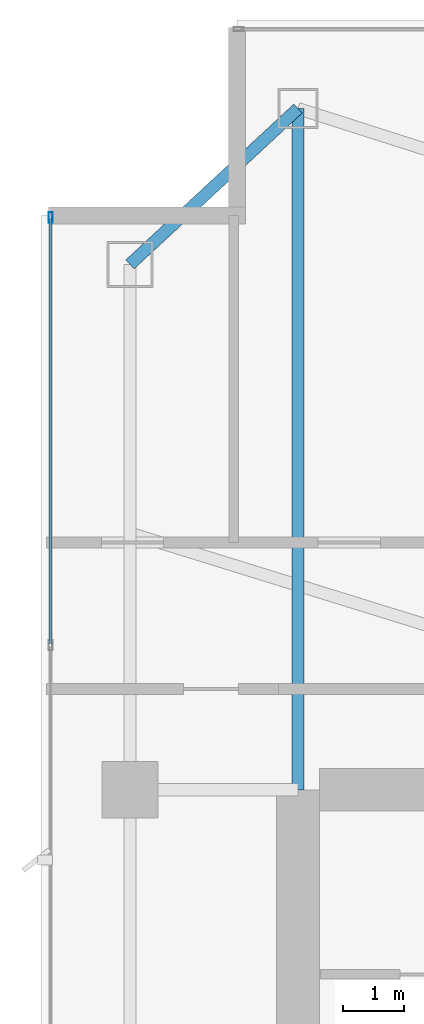
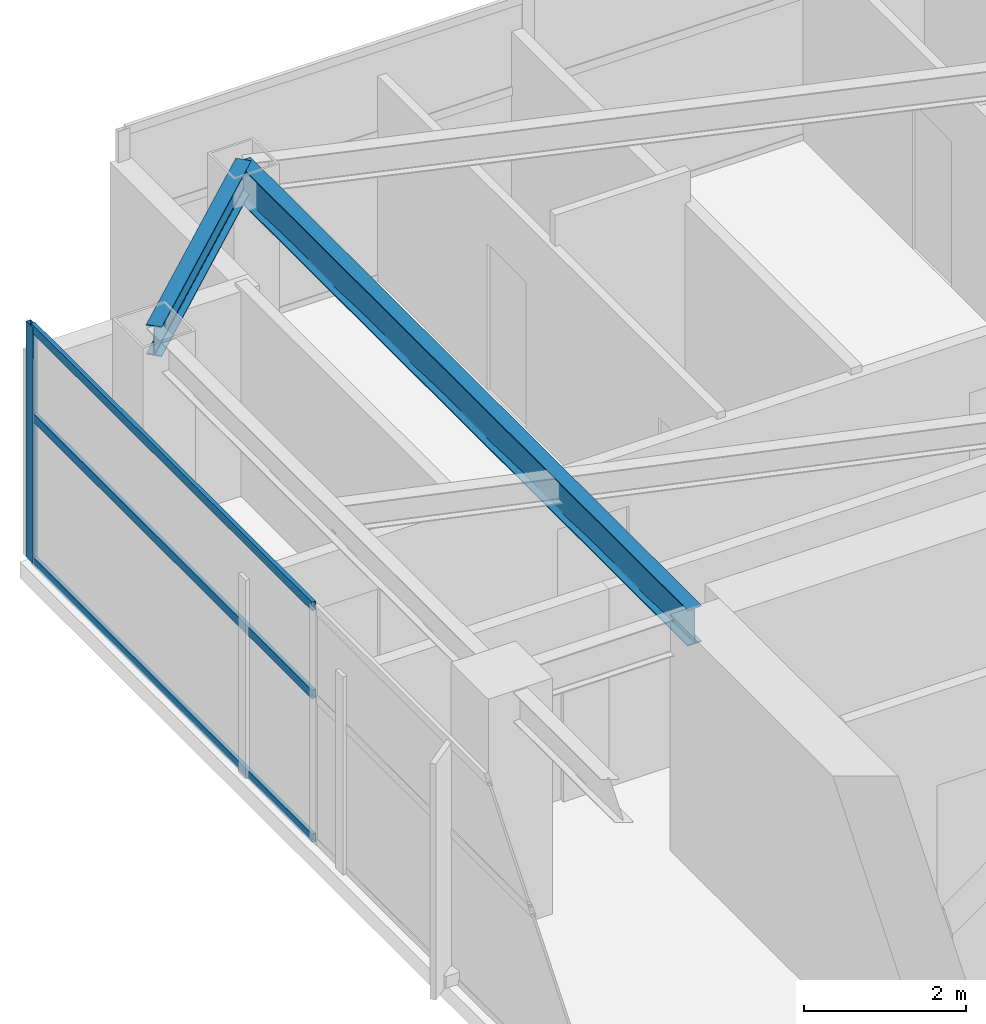
# One storey, part 17 of 29: 4 members, 2 beams, 1 element without a shape of its own.
"""IFC4 building model written with IfcOpenShell, lengths in metres."""

from ifc_helpers import new_model, si_unit, direction, frame, origin, origin_2d, place, context, subcontext, project, spatial, hollow_rectangle, i_section, extrude, material, layer, layer_set, material_profile, profile_set, type_object, element, aggregate, save


model = new_model("IFC4")

# Units and contexts
model_context = context("Model", 3, precision=1e-05, world=origin(), true_north=direction((0.0, 1.0)))
body_context = subcontext(model_context, "Body", "Model", "MODEL_VIEW")
ifc_project = project(units=[si_unit("LENGTHUNIT", "METRE"), si_unit("AREAUNIT", "SQUARE_METRE"), si_unit("VOLUMEUNIT", "CUBIC_METRE"), si_unit("PLANEANGLEUNIT", "RADIAN"), si_unit("MASSUNIT", "GRAM", prefix="KILO")], contexts=[model_context])

# Site, building, storey
site_placement = place(None, origin())
site = spatial("IfcSite", under=ifc_project, at=site_placement, CompositionType="ELEMENT")
building_placement = place(site_placement, origin())
building = spatial("IfcBuilding", under=site, at=building_placement, Name="Calvorn Quay Hotel", CompositionType="ELEMENT")
storey_placement = place(building_placement, frame((0.0, 0.0, 251.39990234375)))
storey = spatial("IfcBuildingStorey", under=building, at=storey_placement, Name="L62", CompositionType="ELEMENT", Elevation=251.39990234375)

# Beams
ifc_material_1 = material(Name="Steel Q355B", Category="steel")
ifc_material_profile_1 = material_profile(ifc_material_1, i_section(OverallWidth=0.199951171875, OverallDepth=0.550048828125, WebThickness=0.010009765625, FlangeThickness=0.01611328125, FilletRadius=0.01806640625, at=origin_2d()), Name="HN550x200x10x16")
ifc_profile_set_1 = profile_set([ifc_material_profile_1], Name="Steel Q355B")
beam_type_1 = type_object("IfcBeamType", Name="BM-GIRD-UPP", PredefinedType="BEAM", material=ifc_profile_set_1)
beam_1_placement = place(storey_placement, frame((4.199951171875, 49.550048828125, 3.26513671875), z_axis=(0.0, -1.0, 0.0), x_axis=(1.0, 0.0, 0.0)))
element("IfcBeam", 1, at=beam_1_placement, inside=storey, type_object=beam_type_1, Name="Beam BG-L62-W5", PredefinedType="BEAM", context=body_context, shape_type="SweptSolid", body=[
    extrude(i_section(OverallWidth=0.199951171875, OverallDepth=0.550048828125, WebThickness=0.010009765625, FlangeThickness=0.01611328125, FilletRadius=0.01806640625, at=origin_2d()), origin(), (0.0, 0.0, 1.0), 11.150146484375),
])
ifc_material_2 = material(Name="Steel Q355B", Category="steel")
ifc_material_profile_2 = material_profile(ifc_material_2, i_section(OverallWidth=0.199951171875, OverallDepth=0.449951171875, WebThickness=0.009033203125, FlangeThickness=0.013916015625, FilletRadius=0.01611328125, at=origin_2d()), Name="HN450x200x9x14")
ifc_profile_set_2 = profile_set([ifc_material_profile_2], Name="Steel Q355B")
beam_type_2 = type_object("IfcBeamType", Name="BM-SPANDREL-Z3", PredefinedType="SPANDREL", material=ifc_profile_set_2)
beam_2_placement = place(storey_placement, frame((1.449951171875, 47.0, 3.315185546875), z_axis=(0.733261665538, 0.679946563969, 0.0), x_axis=(-0.679946563969, 0.733261665538, 0.0)))
element("IfcBeam", 2, at=beam_2_placement, inside=storey, type_object=beam_type_2, Name="Beam BSP-L62-W5", PredefinedType="SPANDREL", context=body_context, shape_type="SweptSolid", body=[
    extrude(i_section(OverallWidth=0.199951171875, OverallDepth=0.449951171875, WebThickness=0.009033203125, FlangeThickness=0.013916015625, FilletRadius=0.01611328125, at=origin_2d()), origin(), (0.0, 0.0, 1.0), 3.75048828125),
])

# Curtain wall, members
ifc_material_3 = material(Name="Champagne Bronze Anodised Aluminium and Low-E Glass", Category="aluminium")
ifc_layer = layer(ifc_material_3, 0.219970703125)
ifc_layer_set = layer_set([ifc_layer], Name="CW-SYS-Z4")
curtain_wall_type = type_object("IfcCurtainWallType", Name="CW-SYS-Z4", PredefinedType="NOTDEFINED", material=ifc_layer_set)
curtain_wall_placement = place(storey_placement, origin())
curtain_wall = element("IfcCurtainWall", 3, at=curtain_wall_placement, inside=storey, type_object=curtain_wall_type, Name="Tower West Curtain Wall (L62)", PredefinedType="NOTDEFINED")
ifc_material_4 = material(Name="Champagne Bronze Anodised Aluminium 6063-T6", Category="aluminium")
ifc_material_profile_3 = material_profile(ifc_material_4, hollow_rectangle(XDim=0.06494140625, YDim=0.169921875, WallThickness=0.00341796875, at=origin_2d()), Name="ALU-M170x65x3.5")
ifc_profile_set_3 = profile_set([ifc_material_profile_3], Name="Champagne Bronze Anodised Aluminium 6063-T6")
member_type_1 = type_object("IfcMemberType", Name="CW-SYS-Z4-MUL", PredefinedType="MULLION", material=ifc_profile_set_3)
member_1_placement = place(storey_placement, frame((0.14990234375, 47.77001953125, 0.0), z_axis=(0.0, 0.0, 1.0), x_axis=(-1.0, 0.0, 0.0)))
member_1 = element("IfcMember", 4, at=member_1_placement, type_object=member_type_1, Name="CW-L62-W mullion 7", PredefinedType="MULLION", context=body_context, shape_type="SweptSolid", body=[
    extrude(hollow_rectangle(XDim=0.06494140625, YDim=0.169921875, WallThickness=0.00341796875, at=origin_2d()), origin(), (0.0, 0.0, 1.0), 3.56005859375),
])
ifc_material_5 = material(Name="Champagne Bronze Anodised Aluminium 6063-T6", Category="aluminium")
ifc_material_profile_4 = material_profile(ifc_material_5, hollow_rectangle(XDim=0.054931640625, YDim=0.1298828125, WallThickness=0.003173828125, at=origin_2d()), Name="ALU-T130x55x3.2")
ifc_profile_set_4 = profile_set([ifc_material_profile_4], Name="Champagne Bronze Anodised Aluminium 6063-T6")
member_type_2 = type_object("IfcMemberType", Name="CW-SYS-Z4-TRN", PredefinedType="USERDEFINED", material=ifc_profile_set_4)
member_2_placement = place(storey_placement, frame((0.14990234375, 40.796630859375, 0.030029296875), z_axis=(0.0, 1.0, 0.0), x_axis=(-1.0, 0.0, 0.0)))
member_2 = element("IfcMember", 5, at=member_2_placement, type_object=member_type_2, Name="CW-L62-W transom 6.1", ObjectType="TRANSOM", PredefinedType="USERDEFINED", context=body_context, shape_type="SweptSolid", body=[
    extrude(hollow_rectangle(XDim=0.054931640625, YDim=0.1298828125, WallThickness=0.003173828125, at=origin_2d()), origin(), (0.0, 0.0, 1.0), 6.943359375),
])
member_3_placement = place(storey_placement, frame((0.14990234375, 40.796630859375, 2.2001953125), z_axis=(0.0, 1.0, 0.0), x_axis=(-1.0, 0.0, 0.0)))
member_3 = element("IfcMember", 6, at=member_3_placement, type_object=member_type_2, Name="CW-L62-W transom 6.2", ObjectType="TRANSOM", PredefinedType="USERDEFINED", context=body_context, shape_type="SweptSolid", body=[
    extrude(hollow_rectangle(XDim=0.054931640625, YDim=0.1298828125, WallThickness=0.003173828125, at=origin_2d()), origin(), (0.0, 0.0, 1.0), 6.943359375),
])
member_4_placement = place(storey_placement, frame((0.14990234375, 40.796630859375, 3.530029296875), z_axis=(0.0, 1.0, 0.0), x_axis=(-1.0, 0.0, 0.0)))
member_4 = element("IfcMember", 7, at=member_4_placement, type_object=member_type_2, Name="CW-L62-W transom 6.3", ObjectType="TRANSOM", PredefinedType="USERDEFINED", context=body_context, shape_type="SweptSolid", body=[
    extrude(hollow_rectangle(XDim=0.054931640625, YDim=0.1298828125, WallThickness=0.003173828125, at=origin_2d()), origin(), (0.0, 0.0, 1.0), 6.943359375),
])
aggregate(curtain_wall, [member_1, member_2, member_3, member_4])

save(model, "model.ifc")
